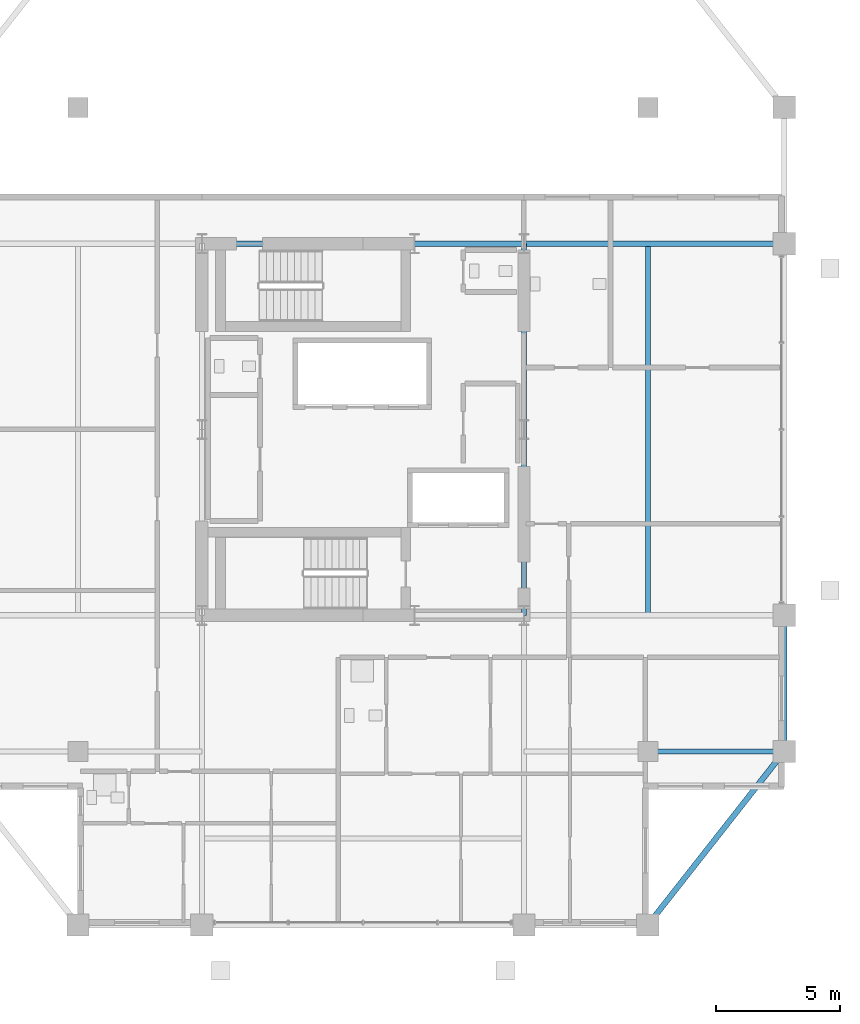
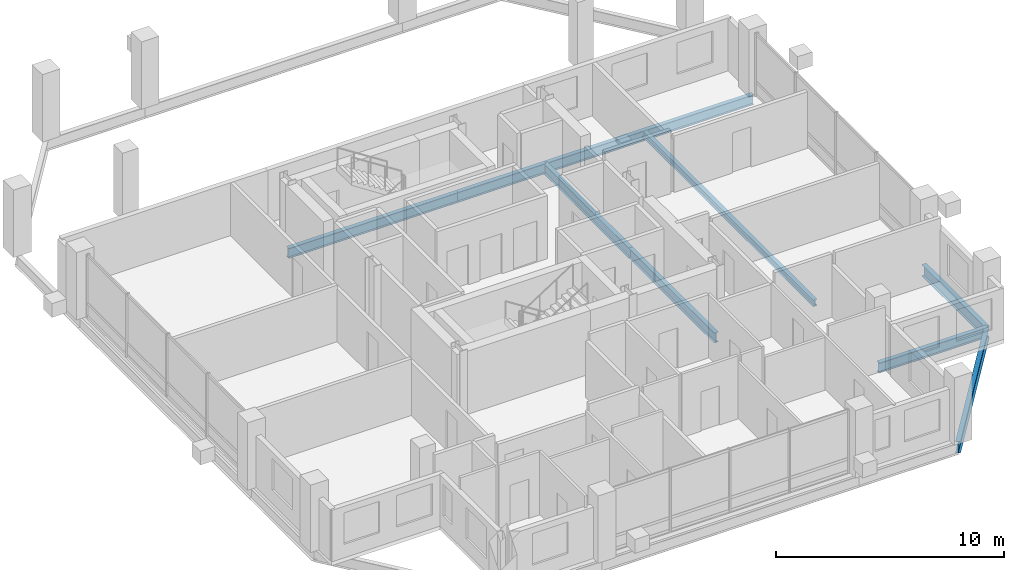
# One storey, part 9 of 16: 9 beams.
"""IFC4 building model written with IfcOpenShell, lengths in metres."""

from ifc_helpers import new_model, si_unit, direction, frame, origin, origin_2d, place, context, subcontext, project, spatial, i_section, extrude, material, material_profile, profile_set, type_object, element, save


model = new_model("IFC4")

# Units and contexts
model_context = context("Model", 3, precision=1e-05, world=origin(), true_north=direction((0.0, 1.0)))
body_context = subcontext(model_context, "Body", "Model", "MODEL_VIEW")
ifc_project = project(units=[si_unit("LENGTHUNIT", "METRE"), si_unit("AREAUNIT", "SQUARE_METRE"), si_unit("VOLUMEUNIT", "CUBIC_METRE"), si_unit("PLANEANGLEUNIT", "RADIAN"), si_unit("MASSUNIT", "GRAM", prefix="KILO")], contexts=[model_context])

# Site, building, storey
site_placement = place(None, origin())
site = spatial("IfcSite", under=ifc_project, at=site_placement, CompositionType="ELEMENT")
building_placement = place(site_placement, origin())
building = spatial("IfcBuilding", under=site, at=building_placement, Name="Barlavira Tower and Art Museum", CompositionType="ELEMENT")
storey_placement = place(building_placement, frame((0.0, 0.0, 265.5)))
storey = spatial("IfcBuildingStorey", under=building, at=storey_placement, Name="L69", CompositionType="ELEMENT", Elevation=265.5)

# Beams
ifc_material = material(Name="Steel S355", Category="steel")
ifc_material_profile_1 = material_profile(ifc_material, i_section(OverallWidth=0.22998046875, OverallDepth=0.616943359375, WebThickness=0.01318359375, FlangeThickness=0.022216796875, at=origin_2d()), Name="W610x140.0")
ifc_profile_set_1 = profile_set([ifc_material_profile_1], Name="Steel S355")
beam_type_1 = type_object("IfcBeamType", Name="Upper Shaft Spandrel Edge Beam W610x140 Steel S355", PredefinedType="SPANDREL", material=ifc_profile_set_1)
beam_1_placement = place(storey_placement, frame((11.5, -20.0, -0.528564453125), z_axis=(0.617821551932, 0.786318338822, 0.0), x_axis=(-0.786318338822, 0.617821551932, 0.0)))
element("IfcBeam", 1, at=beam_1_placement, inside=storey, type_object=beam_type_1, Name="L69 Spandrel 4", PredefinedType="SPANDREL", context=body_context, shape_type="SweptSolid", body=[
    extrude(i_section(OverallWidth=0.22998046875, OverallDepth=0.616943359375, WebThickness=0.01318359375, FlangeThickness=0.022216796875, at=origin_2d()), origin(), (0.0, 0.0, 1.0), 8.90234375),
])
beam_2_placement = place(storey_placement, frame((17.0, -13.0, -0.528564453125), z_axis=(0.0, 1.0, 0.0), x_axis=(-1.0, 0.0, 0.0)))
element("IfcBeam", 2, at=beam_2_placement, inside=storey, type_object=beam_type_1, Name="L69 Spandrel 5", PredefinedType="SPANDREL", context=body_context, shape_type="SweptSolid", body=[
    extrude(i_section(OverallWidth=0.22998046875, OverallDepth=0.616943359375, WebThickness=0.01318359375, FlangeThickness=0.022216796875, at=origin_2d()), origin(), (0.0, 0.0, 1.0), 5.5),
])
ifc_material_profile_2 = material_profile(ifc_material, i_section(OverallWidth=0.2109375, OverallDepth=0.5390625, WebThickness=0.01171875, FlangeThickness=0.018798828125, at=origin_2d()), Name="W530x109.0")
ifc_profile_set_2 = profile_set([ifc_material_profile_2], Name="Steel S355")
beam_type_2 = type_object("IfcBeamType", Name="Zone 3-4 Primary Floor Girder W530x109 Steel S355", PredefinedType="BEAM", material=ifc_profile_set_2)
beam_3_placement = place(storey_placement, frame((-6.5, 7.5, -0.489501953125), z_axis=(1.0, 0.0, 0.0), x_axis=(0.0, 1.0, 0.0)))
element("IfcBeam", 3, at=beam_3_placement, inside=storey, type_object=beam_type_2, Name="L69 Girder C-N1", PredefinedType="BEAM", context=body_context, shape_type="SweptSolid", body=[
    extrude(i_section(OverallWidth=0.2109375, OverallDepth=0.5390625, WebThickness=0.01171875, FlangeThickness=0.018798828125, at=origin_2d()), origin(), (0.0, 0.0, 1.0), 8.580078125),
])
beam_4_placement = place(storey_placement, frame((2.080078125, 7.5, -0.489501953125), z_axis=(1.0, 0.0, 0.0), x_axis=(0.0, 1.0, 0.0)))
element("IfcBeam", 4, at=beam_4_placement, inside=storey, type_object=beam_type_2, Name="L69 Girder C-N2", PredefinedType="BEAM", context=body_context, shape_type="SweptSolid", body=[
    extrude(i_section(OverallWidth=0.2109375, OverallDepth=0.5390625, WebThickness=0.01171875, FlangeThickness=0.018798828125, at=origin_2d()), origin(), (0.0, 0.0, 1.0), 4.419921875),
])
for number, where, z_axis, x_axis, name in (
    (5, (6.5, -7.5, -0.489501953125), (0.0, 1.0, 0.0), (-1.0, 0.0, 0.0), "L69 Girder C-E1"),
    (6, (6.5, 0.0, -0.489501953125), (0.0, 1.0, 0.0), (-1.0, 0.0, 0.0), "L69 Girder C-E2"),
):
    element("IfcBeam", number, at=place(storey_placement, frame(where, z_axis=z_axis, x_axis=x_axis)), inside=storey, type_object=beam_type_2, Name=name, PredefinedType="BEAM", context=body_context, shape_type="SweptSolid", body=[
        extrude(i_section(OverallWidth=0.2109375, OverallDepth=0.5390625, WebThickness=0.01171875, FlangeThickness=0.018798828125, at=origin_2d()), origin(), (0.0, 0.0, 1.0), 7.5),
    ])
beam_5_placement = place(storey_placement, frame((6.5, 7.5, -0.489501953125), z_axis=(1.0, 0.0, 0.0), x_axis=(0.0, 1.0, 0.0)))
element("IfcBeam", 7, at=beam_5_placement, inside=storey, type_object=beam_type_2, Name="L69 Girder R-E2", PredefinedType="BEAM", context=body_context, shape_type="SweptSolid", body=[
    extrude(i_section(OverallWidth=0.2109375, OverallDepth=0.5390625, WebThickness=0.01171875, FlangeThickness=0.018798828125, at=origin_2d()), origin(), (0.0, 0.0, 1.0), 10.5),
])
beam_6_placement = place(storey_placement, frame((11.5, -13.0, -0.489501953125), z_axis=(1.0, 0.0, 0.0), x_axis=(0.0, 1.0, 0.0)))
element("IfcBeam", 8, at=beam_6_placement, inside=storey, type_object=beam_type_2, Name="L69 Girder I-S4", PredefinedType="BEAM", context=body_context, shape_type="SweptSolid", body=[
    extrude(i_section(OverallWidth=0.2109375, OverallDepth=0.5390625, WebThickness=0.01171875, FlangeThickness=0.018798828125, at=origin_2d()), origin(), (0.0, 0.0, 1.0), 5.5),
])
ifc_material_profile_3 = material_profile(ifc_material, i_section(OverallWidth=0.202880859375, OverallDepth=0.346923828125, WebThickness=0.0078125, FlangeThickness=0.013427734375, at=origin_2d()), Name="W360x64.0")
ifc_profile_set_3 = profile_set([ifc_material_profile_3], Name="Steel S355")
beam_type_3 = type_object("IfcBeamType", Name="Zone 4 Composite Floor Joist W360x64 Steel S355", PredefinedType="JOIST", material=ifc_profile_set_3)
beam_7_placement = place(storey_placement, frame((11.5, -7.5, -0.3935546875), z_axis=(0.0, 1.0, 0.0), x_axis=(-1.0, 0.0, 0.0)))
element("IfcBeam", 9, at=beam_7_placement, inside=storey, type_object=beam_type_3, Name="L69 Joist W2", PredefinedType="JOIST", context=body_context, shape_type="SweptSolid", body=[
    extrude(i_section(OverallWidth=0.202880859375, OverallDepth=0.346923828125, WebThickness=0.0078125, FlangeThickness=0.013427734375, at=origin_2d()), origin(), (0.0, 0.0, 1.0), 15.0),
])

save(model, "model.ifc")
